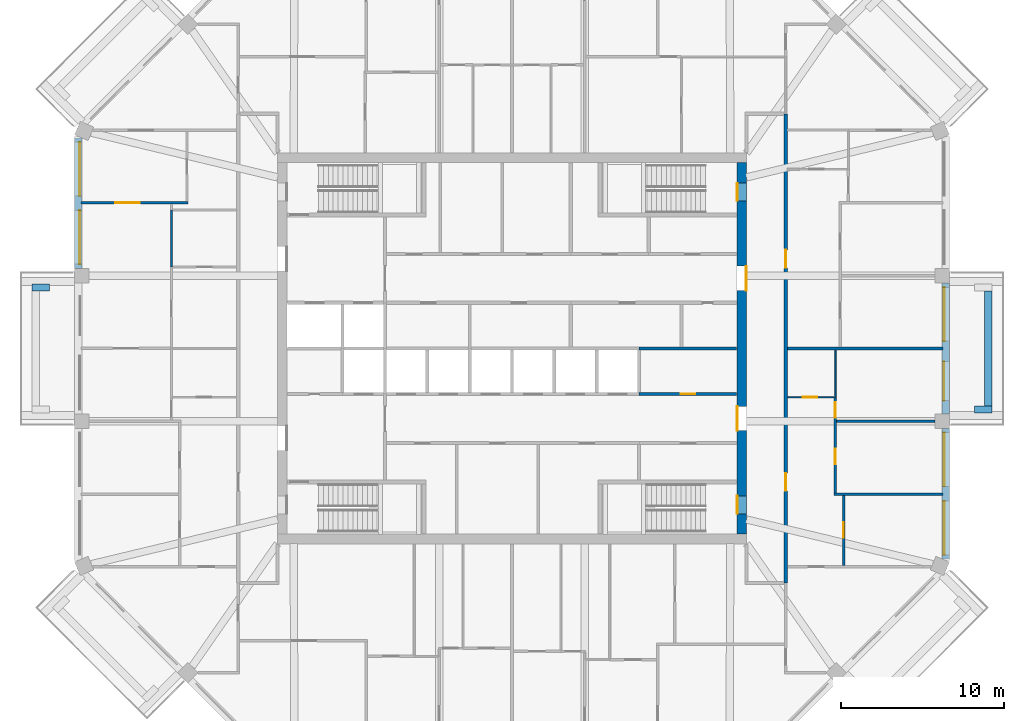
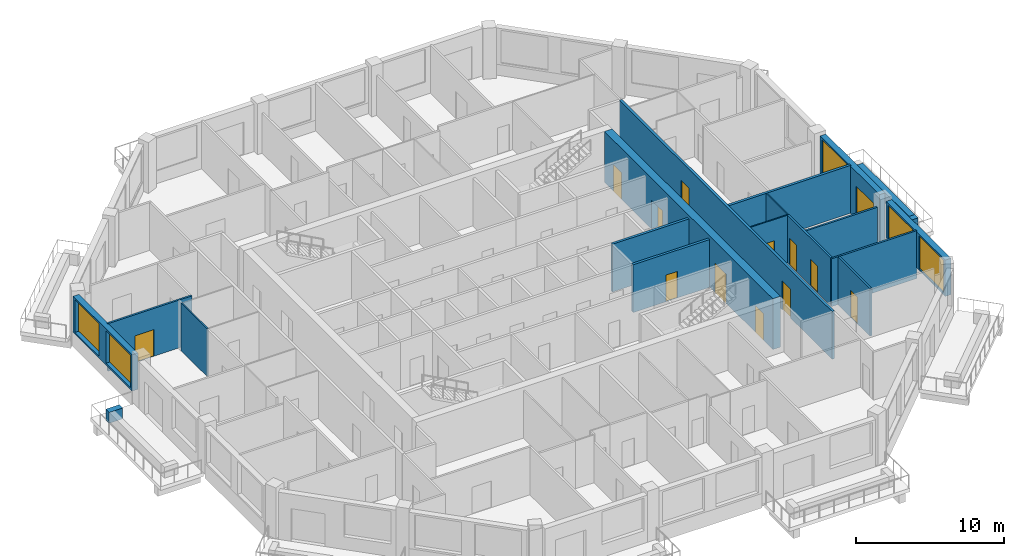
# One storey, part 6 of 12: 19 walls, 13 doors, 5 windows, 18 openings.
"""IFC4 building model written with IfcOpenShell, lengths in metres."""

from ifc_helpers import new_model, si_unit, direction, frame, frame_2d, origin, place, context, subcontext, project, spatial, rectangle, extrude, material, layer, layer_set, type_object, element, fill, save


model = new_model("IFC4")

# Units and contexts
model_context = context("Model", 3, precision=1e-05, world=origin(), true_north=direction((0.0, 1.0)))
body_context = subcontext(model_context, "Body", "Model", "MODEL_VIEW")
ifc_project = project(units=[si_unit("LENGTHUNIT", "METRE"), si_unit("AREAUNIT", "SQUARE_METRE"), si_unit("VOLUMEUNIT", "CUBIC_METRE"), si_unit("PLANEANGLEUNIT", "RADIAN"), si_unit("MASSUNIT", "GRAM", prefix="KILO")], contexts=[model_context])

# Site, building, storey
site_placement = place(None, origin())
site = spatial("IfcSite", under=ifc_project, at=site_placement, CompositionType="ELEMENT")
building_placement = place(site_placement, origin())
building = spatial("IfcBuilding", under=site, at=building_placement, Name="Msitu Wima Residences", CompositionType="ELEMENT")
storey_placement = place(building_placement, frame((0.0, 0.0, 255.89990234375)))
storey = spatial("IfcBuildingStorey", under=building, at=storey_placement, Name="L59", CompositionType="ELEMENT", Elevation=255.89990234375)

# Walls
ifc_material_1 = material(Name="Facing brick")
ifc_layer_1 = layer(ifc_material_1, 0.06494140625, Name="Facing brick")
ifc_material_2 = material(Name="Concrete C40/50", Category="concrete")
ifc_layer_2 = layer(ifc_material_2, 0.156005859375, Name="Concrete C40/50")
ifc_material_3 = material(Name="Waterproofing membrane")
ifc_layer_3 = layer(ifc_material_3, 0.00390625, Name="Waterproofing membrane")
ifc_material_4 = material(Name="Planting soil and planting")
ifc_layer_4 = layer(ifc_material_4, 0.22509765625, Name="Planting soil and planting")
ifc_layer_set_1 = layer_set([ifc_layer_1, ifc_layer_2, ifc_layer_3, ifc_layer_4], Name="Concrete C40/50")
wall_type_1 = type_object("IfcWallType", Name="Balcony planter PLANTER PL450", PredefinedType="USERDEFINED", material=ifc_layer_set_1)
wall_1_placement = place(storey_placement, frame((29.22509765625, -3.5185546875, 0.0), z_axis=(0.0, 0.0, 1.0), x_axis=(0.0, 1.0, 0.0)))
element("IfcWall", 1, at=wall_1_placement, inside=storey, type_object=wall_type_1, Name="Balcony planter E1 L59", ObjectType="PLANTER", PredefinedType="USERDEFINED", context=body_context, shape_type="SweptSolid", body=[
    extrude(rectangle(XDim=7.037109375, YDim=0.449951171875, at=frame_2d((3.5185546875, 0.0))), origin(), (0.0, 0.0, 1.0), 0.900146484375),
])
for number, where, z_axis, x_axis, name in (
    (2, (28.39990234375, -3.74365234375, 0.0), (0.0, 0.0, 1.0), (1.0, 0.0, 0.0), "Balcony planter E1 L59"),
    (3, (-28.39990234375, 3.74365234375, 0.0), (0.0, 0.0, 1.0), (-1.0, 0.0, 0.0), "Balcony planter W1 L59"),
):
    element("IfcWall", number, at=place(storey_placement, frame(where, z_axis=z_axis, x_axis=x_axis)), inside=storey, type_object=wall_type_1, Name=name, ObjectType="PLANTER", PredefinedType="USERDEFINED", context=body_context, shape_type="SweptSolid", body=[
        extrude(rectangle(XDim=1.050048828125, YDim=0.449951171875, at=frame_2d((0.52490234375, 0.0))), origin(), (0.0, 0.0, 1.0), 0.900146484375),
    ])

# Wall, openings, windows
ifc_material_5 = material(Name="Brick (red buff mix)", Category="masonry")
ifc_layer_5 = layer(ifc_material_5, 0.449951171875)
ifc_layer_set_2 = layer_set([ifc_layer_5], Name="Brick (red buff mix)")
wall_type_2 = type_object("IfcWallType", Name="Brick infill wall BW450", PredefinedType="SOLIDWALL", material=ifc_layer_set_2)
wall_2_placement = place(storey_placement, frame((26.625, -12.918701171875, 0.900146484375), z_axis=(0.0, 0.0, 1.0), x_axis=(0.0, 1.0, 0.0)))
wall_2 = element("IfcWall", 4, at=wall_2_placement, inside=storey, type_object=wall_type_2, Name="Brick infill wall L59 E0", PredefinedType="SOLIDWALL", context=body_context, shape_type="SweptSolid", body=[
    extrude(rectangle(XDim=8.0, YDim=0.449951171875, at=frame_2d((4.0, 0.0))), origin(), (0.0, 0.0, 1.0), 3.0),
])
opening_1_placement = place(wall_2_placement, frame((0.25, 0.0, 0.14990234375)))
opening_1 = element("IfcOpeningElement", 5, at=opening_1_placement, cuts=wall_2, Name="Opening W57-59.001", PredefinedType="OPENING", context=body_context, shape_type="SweptSolid", body=[
    extrude(rectangle(XDim=3.300048828125, YDim=2.699951171875, at=frame_2d((1.64990234375, 1.35009765625))), frame((0.0, 0.23486328125, 0.0), z_axis=(0.0, -1.0, 0.0), x_axis=(1.0, 0.0, 0.0)), (0.0, 0.0, 1.0), 0.469970703125),
])
opening_2_placement = place(wall_2_placement, frame((4.4501953125, 0.0, 0.14990234375)))
opening_2 = element("IfcOpeningElement", 6, at=opening_2_placement, cuts=wall_2, Name="Opening W57-59.002", PredefinedType="OPENING", context=body_context, shape_type="SweptSolid", body=[
    extrude(rectangle(XDim=3.300048828125, YDim=2.699951171875, at=frame_2d((1.64990234375, 1.35009765625))), frame((0.0, 0.23486328125, 0.0), z_axis=(0.0, -1.0, 0.0), x_axis=(1.0, 0.0, 0.0)), (0.0, 0.0, 1.0), 0.469970703125),
])
ifc_material_6 = material(Name="Anodised aluminium, bronze finish, clear low-emissivity double glazing", Category="aluminium")
window_type = type_object("IfcWindowType", Name="Window W3300x2700", PartitioningType="DOUBLE_PANEL_VERTICAL", PredefinedType="WINDOW", material=ifc_material_6)
window_1_placement = place(opening_1_placement, origin())
window_1 = element("IfcWindow", 7, at=window_1_placement, inside=storey, type_object=window_type, Name="Window L59 E0.1", OverallHeight=2.699951171875, OverallWidth=3.300048828125, PartitioningType="SINGLE_PANEL", PredefinedType="WINDOW", context=body_context, shape_type="SweptSolid", body=[
    extrude(rectangle(XDim=3.300048828125, YDim=2.699951171875, at=frame_2d((1.64990234375, 1.35009765625))), frame((0.0, 0.135009765625, 0.0), z_axis=(0.0, -1.0, 0.0), x_axis=(1.0, 0.0, 0.0)), (0.0, 0.0, 1.0), 0.06005859375),
])
fill(opening_1, window_1)
window_2_placement = place(opening_2_placement, origin())
window_2 = element("IfcWindow", 8, at=window_2_placement, inside=storey, type_object=window_type, Name="Window L59 E0.2", OverallHeight=2.699951171875, OverallWidth=3.300048828125, PartitioningType="SINGLE_PANEL", PredefinedType="WINDOW", context=body_context, shape_type="SweptSolid", body=[
    extrude(rectangle(XDim=3.300048828125, YDim=2.699951171875, at=frame_2d((1.64990234375, 1.35009765625))), frame((0.0, 0.135009765625, 0.0), z_axis=(0.0, -1.0, 0.0), x_axis=(1.0, 0.0, 0.0)), (0.0, 0.0, 1.0), 0.06005859375),
])
fill(opening_2, window_2)

# Wall, openings, door, window
wall_3_placement = place(storey_placement, frame((26.625, -4.0185546875, 0.0), z_axis=(0.0, 0.0, 1.0), x_axis=(0.0, 1.0, 0.0)))
wall_3 = element("IfcWall", 9, at=wall_3_placement, inside=storey, type_object=wall_type_2, Name="Brick infill wall L59 E1", PredefinedType="SOLIDWALL", context=body_context, shape_type="SweptSolid", body=[
    extrude(rectangle(XDim=8.037109375, YDim=0.449951171875, at=frame_2d((4.0185546875, 0.0))), origin(), (0.0, 0.0, 1.0), 3.900146484375),
])
opening_3_placement = place(wall_3_placement, frame((0.809326171875, 0.0, 0.0)))
opening_3 = element("IfcOpeningElement", 10, at=opening_3_placement, cuts=wall_3, Name="Opening D57-59.001", PredefinedType="OPENING", context=body_context, shape_type="SweptSolid", body=[
    extrude(rectangle(XDim=2.39990234375, YDim=2.699951171875, at=frame_2d((1.199951171875, 1.35009765625))), frame((0.0, 0.23486328125, 0.0), z_axis=(0.0, -1.0, 0.0), x_axis=(1.0, 0.0, 0.0)), (0.0, 0.0, 1.0), 0.469970703125),
])
opening_4_placement = place(wall_3_placement, frame((4.46875, 0.0, 1.050048828125)))
opening_4 = element("IfcOpeningElement", 11, at=opening_4_placement, cuts=wall_3, Name="Opening W57-59.003", PredefinedType="OPENING", context=body_context, shape_type="SweptSolid", body=[
    extrude(rectangle(XDim=3.300048828125, YDim=2.699951171875, at=frame_2d((1.64990234375, 1.35009765625))), frame((0.0, 0.23486328125, 0.0), z_axis=(0.0, -1.0, 0.0), x_axis=(1.0, 0.0, 0.0)), (0.0, 0.0, 1.0), 0.469970703125),
])
door_type_1 = type_object("IfcDoorType", Name="Balcony door D2400x2700", OperationType="SLIDING_TO_LEFT", PredefinedType="DOOR", material=ifc_material_6)
door_1_placement = place(opening_3_placement, origin())
door_1 = element("IfcDoor", 12, at=door_1_placement, inside=storey, type_object=door_type_1, Name="Balcony door L59 E1", OperationType="SINGLE_SWING_LEFT", OverallHeight=2.699951171875, OverallWidth=2.39990234375, PredefinedType="DOOR", context=body_context, shape_type="SweptSolid", body=[
    extrude(rectangle(XDim=2.39990234375, YDim=2.699951171875, at=frame_2d((1.199951171875, 1.35009765625))), frame((0.0, 0.1298828125, 0.0), z_axis=(0.0, -1.0, 0.0), x_axis=(1.0, 0.0, 0.0)), (0.0, 0.0, 1.0), 0.050048828125),
])
fill(opening_3, door_1)
window_3_placement = place(opening_4_placement, origin())
window_3 = element("IfcWindow", 13, at=window_3_placement, inside=storey, type_object=window_type, Name="Window L59 E1.2", OverallHeight=2.699951171875, OverallWidth=3.300048828125, PartitioningType="SINGLE_PANEL", PredefinedType="WINDOW", context=body_context, shape_type="SweptSolid", body=[
    extrude(rectangle(XDim=3.300048828125, YDim=2.699951171875, at=frame_2d((1.64990234375, 1.35009765625))), frame((0.0, 0.135009765625, 0.0), z_axis=(0.0, -1.0, 0.0), x_axis=(1.0, 0.0, 0.0)), (0.0, 0.0, 1.0), 0.06005859375),
])
fill(opening_4, window_3)

# Wall, openings, windows
wall_4_placement = place(storey_placement, frame((-26.625, 12.918701171875, 0.900146484375), z_axis=(0.0, 0.0, 1.0), x_axis=(0.0, -1.0, 0.0)))
wall_4 = element("IfcWall", 14, at=wall_4_placement, inside=storey, type_object=wall_type_2, Name="Brick infill wall L59 W0", PredefinedType="SOLIDWALL", context=body_context, shape_type="SweptSolid", body=[
    extrude(rectangle(XDim=8.0, YDim=0.449951171875, at=frame_2d((4.0, 0.0))), origin(), (0.0, 0.0, 1.0), 3.0),
])
opening_5_placement = place(wall_4_placement, frame((0.25, 0.0, 0.14990234375)))
opening_5 = element("IfcOpeningElement", 15, at=opening_5_placement, cuts=wall_4, Name="Opening W57-59.026", PredefinedType="OPENING", context=body_context, shape_type="SweptSolid", body=[
    extrude(rectangle(XDim=3.300048828125, YDim=2.699951171875, at=frame_2d((1.64990234375, 1.35009765625))), frame((0.0, 0.23486328125, 0.0), z_axis=(0.0, -1.0, 0.0), x_axis=(1.0, 0.0, 0.0)), (0.0, 0.0, 1.0), 0.469970703125),
])
opening_6_placement = place(wall_4_placement, frame((4.4501953125, 0.0, 0.14990234375)))
opening_6 = element("IfcOpeningElement", 16, at=opening_6_placement, cuts=wall_4, Name="Opening W57-59.027", PredefinedType="OPENING", context=body_context, shape_type="SweptSolid", body=[
    extrude(rectangle(XDim=3.300048828125, YDim=2.699951171875, at=frame_2d((1.64990234375, 1.35009765625))), frame((0.0, 0.23486328125, 0.0), z_axis=(0.0, -1.0, 0.0), x_axis=(1.0, 0.0, 0.0)), (0.0, 0.0, 1.0), 0.469970703125),
])
window_4_placement = place(opening_5_placement, origin())
window_4 = element("IfcWindow", 17, at=window_4_placement, inside=storey, type_object=window_type, Name="Window L59 W0.1", OverallHeight=2.699951171875, OverallWidth=3.300048828125, PartitioningType="SINGLE_PANEL", PredefinedType="WINDOW", context=body_context, shape_type="SweptSolid", body=[
    extrude(rectangle(XDim=3.300048828125, YDim=2.699951171875, at=frame_2d((1.64990234375, 1.35009765625))), frame((0.0, 0.135009765625, 0.0), z_axis=(0.0, -1.0, 0.0), x_axis=(1.0, 0.0, 0.0)), (0.0, 0.0, 1.0), 0.06005859375),
])
fill(opening_5, window_4)
window_5_placement = place(opening_6_placement, origin())
window_5 = element("IfcWindow", 18, at=window_5_placement, inside=storey, type_object=window_type, Name="Window L59 W0.2", OverallHeight=2.699951171875, OverallWidth=3.300048828125, PartitioningType="SINGLE_PANEL", PredefinedType="WINDOW", context=body_context, shape_type="SweptSolid", body=[
    extrude(rectangle(XDim=3.300048828125, YDim=2.699951171875, at=frame_2d((1.64990234375, 1.35009765625))), frame((0.0, 0.135009765625, 0.0), z_axis=(0.0, -1.0, 0.0), x_axis=(1.0, 0.0, 0.0)), (0.0, 0.0, 1.0), 0.06005859375),
])
fill(opening_6, window_5)

# Wall, openings, doors
ifc_material_7 = material(Name="Concrete C50/60", Category="concrete")
ifc_layer_6 = layer(ifc_material_7, 0.60009765625)
ifc_layer_set_3 = layer_set([ifc_layer_6], Name="Concrete C50/60")
wall_type_3 = type_object("IfcWallType", Name="Core wall CW600 C50/60", PredefinedType="SHEAR", material=ifc_layer_set_3)
wall_5_placement = place(storey_placement, frame((14.10009765625, -11.39990234375, 0.0), z_axis=(0.0, 0.0, 1.0), x_axis=(0.0, 1.0, 0.0)))
wall_5 = element("IfcWall", 19, at=wall_5_placement, inside=storey, type_object=wall_type_3, Name="Core wall", PredefinedType="SHEAR", context=body_context, shape_type="SweptSolid", body=[
    extrude(rectangle(XDim=22.7998046875, YDim=0.60009765625, at=frame_2d((11.39990234375, 0.0))), origin(), (0.0, 0.0, 1.0), 4.2001953125),
])
opening_7_placement = place(wall_5_placement, frame((20.449951171875, 0.0, 0.0)))
opening_7 = element("IfcOpeningElement", 20, at=opening_7_placement, cuts=wall_5, Name="Opening D57-59.088", PredefinedType="OPENING", context=body_context, shape_type="SweptSolid", body=[
    extrude(rectangle(XDim=1.10009765625, YDim=2.199951171875, at=frame_2d((0.550048828125, 1.10009765625))), frame((0.0, 0.31005859375, 0.0), z_axis=(0.0, -1.0, 0.0), x_axis=(1.0, 0.0, 0.0)), (0.0, 0.0, 1.0), 0.6201171875),
])
opening_8_placement = place(wall_5_placement, frame((1.25, 0.0, 0.0)))
opening_8 = element("IfcOpeningElement", 21, at=opening_8_placement, cuts=wall_5, Name="Opening D57-59.089", PredefinedType="OPENING", context=body_context, shape_type="SweptSolid", body=[
    extrude(rectangle(XDim=1.10009765625, YDim=2.199951171875, at=frame_2d((0.550048828125, 1.10009765625))), frame((0.0, 0.31005859375, 0.0), z_axis=(0.0, -1.0, 0.0), x_axis=(1.0, 0.0, 0.0)), (0.0, 0.0, 1.0), 0.6201171875),
])
opening_9_placement = place(wall_5_placement, frame((14.949951171875, 0.0, 0.0)))
opening_9 = element("IfcOpeningElement", 22, at=opening_9_placement, cuts=wall_5, Name="Opening D57-59.077", PredefinedType="OPENING", context=body_context, shape_type="SweptSolid", body=[
    extrude(rectangle(XDim=1.5, YDim=2.39990234375, at=frame_2d((0.75, 1.199951171875))), frame((0.0, 0.31005859375, 0.0), z_axis=(0.0, -1.0, 0.0), x_axis=(1.0, 0.0, 0.0)), (0.0, 0.0, 1.0), 0.6201171875),
])
opening_10_placement = place(wall_5_placement, frame((6.35009765625, 0.0, 0.0)))
opening_10 = element("IfcOpeningElement", 23, at=opening_10_placement, cuts=wall_5, Name="Opening D57-59.078", PredefinedType="OPENING", context=body_context, shape_type="SweptSolid", body=[
    extrude(rectangle(XDim=1.5, YDim=2.39990234375, at=frame_2d((0.75, 1.199951171875))), frame((0.0, 0.31005859375, 0.0), z_axis=(0.0, -1.0, 0.0), x_axis=(1.0, 0.0, 0.0)), (0.0, 0.0, 1.0), 0.6201171875),
])
ifc_material_8 = material(Name="Steel framed glazed door, fire resisting", Category="steel")
door_type_2 = type_object("IfcDoorType", Name="Lobby door D07 1500x2400", OperationType="DOUBLE_DOOR_SINGLE_SWING", PredefinedType="DOOR", material=ifc_material_8)
door_2_placement = place(opening_9_placement, origin())
door_2 = element("IfcDoor", 24, at=door_2_placement, inside=storey, type_object=door_type_2, Name="Lobby door", OperationType="DOUBLE_DOOR_SINGLE_SWING", OverallHeight=2.39990234375, OverallWidth=1.5, PredefinedType="DOOR", context=body_context, shape_type="SweptSolid", body=[
    extrude(rectangle(XDim=1.5, YDim=2.39990234375, at=frame_2d((0.75, 1.199951171875))), frame((0.0, -0.2451171875, 0.0), z_axis=(0.0, -1.0, 0.0), x_axis=(1.0, 0.0, 0.0)), (0.0, 0.0, 1.0), 0.050048828125),
])
fill(opening_9, door_2)
door_3_placement = place(opening_10_placement, origin())
door_3 = element("IfcDoor", 25, at=door_3_placement, inside=storey, type_object=door_type_2, Name="Lobby door", OperationType="DOUBLE_DOOR_SINGLE_SWING", OverallHeight=2.39990234375, OverallWidth=1.5, PredefinedType="DOOR", context=body_context, shape_type="SweptSolid", body=[
    extrude(rectangle(XDim=1.5, YDim=2.39990234375, at=frame_2d((0.75, 1.199951171875))), frame((0.0, 0.294921875, 0.0), z_axis=(0.0, -1.0, 0.0), x_axis=(1.0, 0.0, 0.0)), (0.0, 0.0, 1.0), 0.050048828125),
])
fill(opening_10, door_3)
ifc_material_9 = material(Name="Steel door, fire resisting, panic bar", Category="steel")
door_type_3 = type_object("IfcDoorType", Name="Stair door D06 1100x2200", OperationType="SINGLE_SWING_LEFT", PredefinedType="DOOR", material=ifc_material_9)
door_4_placement = place(opening_7_placement, origin())
door_4 = element("IfcDoor", 26, at=door_4_placement, inside=storey, type_object=door_type_3, Name="Stair door", OperationType="SINGLE_SWING_LEFT", OverallHeight=2.199951171875, OverallWidth=1.10009765625, PredefinedType="DOOR", context=body_context, shape_type="SweptSolid", body=[
    extrude(rectangle(XDim=1.10009765625, YDim=2.199951171875, at=frame_2d((0.550048828125, 1.10009765625))), frame((0.0, 0.294921875, 0.0), z_axis=(0.0, -1.0, 0.0), x_axis=(1.0, 0.0, 0.0)), (0.0, 0.0, 1.0), 0.050048828125),
])
fill(opening_7, door_4)
door_5_placement = place(opening_8_placement, origin())
door_5 = element("IfcDoor", 27, at=door_5_placement, inside=storey, type_object=door_type_3, Name="Stair door", OperationType="SINGLE_SWING_RIGHT", OverallHeight=2.199951171875, OverallWidth=1.10009765625, PredefinedType="DOOR", context=body_context, shape_type="SweptSolid", body=[
    extrude(rectangle(XDim=1.10009765625, YDim=2.199951171875, at=frame_2d((0.550048828125, 1.10009765625))), frame((0.0, 0.294921875, 0.0), z_axis=(0.0, -1.0, 0.0), x_axis=(1.0, 0.0, 0.0)), (0.0, 0.0, 1.0), 0.050048828125),
])
fill(opening_8, door_5)

ifc_material_10 = material(Name="Plaster")
ifc_layer_7 = layer(ifc_material_10, 0.011962890625, Name="Plaster")
ifc_material_11 = material(Name="Concrete blockwork", Category="masonry")
ifc_layer_8 = layer(ifc_material_11, 0.176025390625, Name="Concrete blockwork")
ifc_layer_9 = layer(ifc_material_10, 0.011962890625, Name="Plaster")
ifc_layer_set_4 = layer_set([ifc_layer_7, ifc_layer_8, ifc_layer_9], Name="Concrete blockwork")
wall_type_4 = type_object("IfcWallType", Name="Corridor wall FW200", PredefinedType="PARTITIONING", material=ifc_layer_set_4)
wall_6_placement = place(storey_placement, frame((16.800048828125, -14.39990234375, 0.0), z_axis=(0.0, 0.0, 1.0), x_axis=(0.0, 1.0, 0.0)))
wall_6 = element("IfcWall", 28, at=wall_6_placement, inside=storey, type_object=wall_type_4, Name="Corridor wall", PredefinedType="PARTITIONING", context=body_context, shape_type="SweptSolid", body=[
    extrude(rectangle(XDim=28.7998046875, YDim=0.199951171875, at=frame_2d((14.39990234375, 0.0))), origin(), (0.0, 0.0, 1.0), 3.9501953125),
])
opening_11_placement = place(wall_6_placement, frame((19.35009765625, 0.0, 0.0)))
opening_11 = element("IfcOpeningElement", 29, at=opening_11_placement, cuts=wall_6, Name="Opening D57-59.011", PredefinedType="OPENING", context=body_context, shape_type="SweptSolid", body=[
    extrude(rectangle(XDim=1.10009765625, YDim=2.39990234375, at=frame_2d((0.550048828125, 1.199951171875))), frame((0.0, 0.10986328125, 0.0), z_axis=(0.0, -1.0, 0.0), x_axis=(1.0, 0.0, 0.0)), (0.0, 0.0, 1.0), 0.219970703125),
])
opening_12_placement = place(wall_6_placement, frame((5.64990234375, 0.0, 0.0)))
opening_12 = element("IfcOpeningElement", 30, at=opening_12_placement, cuts=wall_6, Name="Opening D57-59.050", PredefinedType="OPENING", context=body_context, shape_type="SweptSolid", body=[
    extrude(rectangle(XDim=1.10009765625, YDim=2.39990234375, at=frame_2d((0.550048828125, 1.199951171875))), frame((0.0, 0.10986328125, 0.0), z_axis=(0.0, -1.0, 0.0), x_axis=(1.0, 0.0, 0.0)), (0.0, 0.0, 1.0), 0.219970703125),
])
ifc_material_12 = material(Name="Timber flush door, fire resisting, self-closing", Category="wood")
door_type_4 = type_object("IfcDoorType", Name="Flat entrance door D01 1100x2400", OperationType="SINGLE_SWING_LEFT", PredefinedType="DOOR", material=ifc_material_12)
door_6_placement = place(opening_11_placement, origin())
door_6 = element("IfcDoor", 31, at=door_6_placement, inside=storey, type_object=door_type_4, Name="Flat entrance door", OperationType="SINGLE_SWING_LEFT", OverallHeight=2.39990234375, OverallWidth=1.10009765625, PredefinedType="DOOR", context=body_context, shape_type="SweptSolid", body=[
    extrude(rectangle(XDim=1.10009765625, YDim=2.39990234375, at=frame_2d((0.550048828125, 1.199951171875))), frame((0.0, 0.02490234375, 0.0), z_axis=(0.0, -1.0, 0.0), x_axis=(1.0, 0.0, 0.0)), (0.0, 0.0, 1.0), 0.050048828125),
])
fill(opening_11, door_6)
door_7_placement = place(opening_12_placement, origin())
door_7 = element("IfcDoor", 32, at=door_7_placement, inside=storey, type_object=door_type_4, Name="Flat entrance door", OperationType="SINGLE_SWING_RIGHT", OverallHeight=2.39990234375, OverallWidth=1.10009765625, PredefinedType="DOOR", context=body_context, shape_type="SweptSolid", body=[
    extrude(rectangle(XDim=1.10009765625, YDim=2.39990234375, at=frame_2d((0.550048828125, 1.199951171875))), frame((0.0, 0.02490234375, 0.0), z_axis=(0.0, -1.0, 0.0), x_axis=(1.0, 0.0, 0.0)), (0.0, 0.0, 1.0), 0.050048828125),
])
fill(opening_12, door_7)

# Wall, opening, door
ifc_layer_10 = layer(ifc_material_10, 0.011962890625, Name="Plaster")
ifc_layer_11 = layer(ifc_material_11, 0.1259765625, Name="Concrete blockwork")
ifc_layer_12 = layer(ifc_material_10, 0.011962890625, Name="Plaster")
ifc_layer_set_5 = layer_set([ifc_layer_10, ifc_layer_11, ifc_layer_12], Name="Concrete blockwork")
wall_type_5 = type_object("IfcWallType", Name="Partition PW150", PredefinedType="PARTITIONING", material=ifc_layer_set_5)
wall_7_placement = place(storey_placement, frame((-26.455078125, 8.937255859375, 0.0), z_axis=(0.0, 0.0, 1.0), x_axis=(1.0, 0.0, 0.0)))
wall_7 = element("IfcWall", 33, at=wall_7_placement, inside=storey, type_object=wall_type_5, Name="Partition", PredefinedType="PARTITIONING", context=body_context, shape_type="SweptSolid", body=[
    extrude(rectangle(XDim=6.580078125, YDim=0.14990234375, at=frame_2d((3.2900390625, 0.0))), origin(), (0.0, 0.0, 1.0), 3.9501953125),
])
opening_13_placement = place(wall_7_placement, frame((2.10009765625, 0.0, 0.0)))
opening_13 = element("IfcOpeningElement", 34, at=opening_13_placement, cuts=wall_7, Name="Opening D57-59.047", PredefinedType="OPENING", context=body_context, shape_type="SweptSolid", body=[
    extrude(rectangle(XDim=1.5, YDim=2.199951171875, at=frame_2d((0.75, 1.10009765625))), frame((0.0, 0.0849609375, 0.0), z_axis=(0.0, -1.0, 0.0), x_axis=(1.0, 0.0, 0.0)), (0.0, 0.0, 1.0), 0.169921875),
])
ifc_material_13 = material(Name="Timber double door", Category="wood")
door_type_5 = type_object("IfcDoorType", Name="Double door D04 1500x2200", OperationType="DOUBLE_DOOR_SINGLE_SWING", PredefinedType="DOOR", material=ifc_material_13)
door_8_placement = place(opening_13_placement, origin())
door_8 = element("IfcDoor", 35, at=door_8_placement, inside=storey, type_object=door_type_5, Name="Double door", OperationType="DOUBLE_DOOR_SINGLE_SWING", OverallHeight=2.199951171875, OverallWidth=1.5, PredefinedType="DOOR", context=body_context, shape_type="SweptSolid", body=[
    extrude(rectangle(XDim=1.5, YDim=2.199951171875, at=frame_2d((0.75, 1.10009765625))), frame((0.0, 0.02490234375, 0.0), z_axis=(0.0, -1.0, 0.0), x_axis=(1.0, 0.0, 0.0)), (0.0, 0.0, 1.0), 0.050048828125),
])
fill(opening_13, door_8)

# Wall, openings, doors
wall_8_placement = place(storey_placement, frame((19.85009765625, -8.8623046875, 0.0), z_axis=(0.0, 0.0, 1.0), x_axis=(0.0, 1.0, 0.0)))
wall_8 = element("IfcWall", 36, at=wall_8_placement, inside=storey, type_object=wall_type_5, Name="Partition", PredefinedType="PARTITIONING", context=body_context, shape_type="SweptSolid", body=[
    extrude(rectangle(XDim=5.8623046875, YDim=0.14990234375, at=frame_2d((2.93115234375, 0.0))), origin(), (0.0, 0.0, 1.0), 3.9501953125),
])
opening_14_placement = place(wall_8_placement, frame((4.60009765625, 0.0, 0.0)))
opening_14 = element("IfcOpeningElement", 37, at=opening_14_placement, cuts=wall_8, Name="Opening D57-59.055", PredefinedType="OPENING", context=body_context, shape_type="SweptSolid", body=[
    extrude(rectangle(XDim=0.949951171875, YDim=2.199951171875, at=frame_2d((0.47509765625, 1.10009765625))), frame((0.0, 0.0849609375, 0.0), z_axis=(0.0, -1.0, 0.0), x_axis=(1.0, 0.0, 0.0)), (0.0, 0.0, 1.0), 0.169921875),
])
opening_15_placement = place(wall_8_placement, frame((1.75, 0.0, 0.0)))
opening_15 = element("IfcOpeningElement", 38, at=opening_15_placement, cuts=wall_8, Name="Opening D57-59.056", PredefinedType="OPENING", context=body_context, shape_type="SweptSolid", body=[
    extrude(rectangle(XDim=0.949951171875, YDim=2.199951171875, at=frame_2d((0.47509765625, 1.10009765625))), frame((0.0, 0.0849609375, 0.0), z_axis=(0.0, -1.0, 0.0), x_axis=(1.0, 0.0, 0.0)), (0.0, 0.0, 1.0), 0.169921875),
])
ifc_material_14 = material(Name="Timber flush door", Category="wood")
door_type_6 = type_object("IfcDoorType", Name="Room door D12 950x2200", OperationType="SINGLE_SWING_LEFT", PredefinedType="DOOR", material=ifc_material_14)
door_9_placement = place(opening_14_placement, origin())
door_9 = element("IfcDoor", 39, at=door_9_placement, inside=storey, type_object=door_type_6, Name="Room door", OperationType="SINGLE_SWING_RIGHT", OverallHeight=2.199951171875, OverallWidth=0.949951171875, PredefinedType="DOOR", context=body_context, shape_type="SweptSolid", body=[
    extrude(rectangle(XDim=0.949951171875, YDim=2.199951171875, at=frame_2d((0.47509765625, 1.10009765625))), frame((0.0, 0.02490234375, 0.0), z_axis=(0.0, -1.0, 0.0), x_axis=(1.0, 0.0, 0.0)), (0.0, 0.0, 1.0), 0.050048828125),
])
fill(opening_14, door_9)
door_10_placement = place(opening_15_placement, origin())
door_10 = element("IfcDoor", 40, at=door_10_placement, inside=storey, type_object=door_type_6, Name="Room door", OperationType="SINGLE_SWING_LEFT", OverallHeight=2.199951171875, OverallWidth=0.949951171875, PredefinedType="DOOR", context=body_context, shape_type="SweptSolid", body=[
    extrude(rectangle(XDim=0.949951171875, YDim=2.199951171875, at=frame_2d((0.47509765625, 1.10009765625))), frame((0.0, 0.02490234375, 0.0), z_axis=(0.0, -1.0, 0.0), x_axis=(1.0, 0.0, 0.0)), (0.0, 0.0, 1.0), 0.050048828125),
])
fill(opening_15, door_10)

# Walls
wall_9_placement = place(storey_placement, frame((19.77490234375, -8.937255859375, 0.0), z_axis=(0.0, 0.0, 1.0), x_axis=(1.0, 0.0, 0.0)))
element("IfcWall", 41, at=wall_9_placement, inside=storey, type_object=wall_type_5, Name="Partition", PredefinedType="PARTITIONING", context=body_context, shape_type="SweptSolid", body=[
    extrude(rectangle(XDim=6.68017578125, YDim=0.14990234375, at=frame_2d((3.340087890625, 0.0))), origin(), (0.0, 0.0, 1.0), 3.9501953125),
])
wall_10_placement = place(storey_placement, frame((19.925048828125, -4.46875, 0.0), z_axis=(0.0, 0.0, 1.0), x_axis=(1.0, 0.0, 0.0)))
element("IfcWall", 42, at=wall_10_placement, inside=storey, type_object=wall_type_5, Name="Partition", PredefinedType="PARTITIONING", context=body_context, shape_type="SweptSolid", body=[
    extrude(rectangle(XDim=6.02490234375, YDim=0.14990234375, at=frame_2d((3.012451171875, 0.0))), origin(), (0.0, 0.0, 1.0), 3.35009765625),
])

# Wall, opening, door
wall_11_placement = place(storey_placement, frame((20.35009765625, -13.330810546875, 0.0), z_axis=(0.0, 0.0, 1.0), x_axis=(0.0, 1.0, 0.0)))
wall_11 = element("IfcWall", 43, at=wall_11_placement, inside=storey, type_object=wall_type_5, Name="Partition", PredefinedType="PARTITIONING", context=body_context, shape_type="SweptSolid", body=[
    extrude(rectangle(XDim=4.318603515625, YDim=0.14990234375, at=frame_2d((2.1591796875, 0.0))), origin(), (0.0, 0.0, 1.0), 3.9501953125),
])
opening_16_placement = place(wall_11_placement, frame((1.699951171875, 0.0, 0.0)))
opening_16 = element("IfcOpeningElement", 44, at=opening_16_placement, cuts=wall_11, Name="Opening D57-59.057", PredefinedType="OPENING", context=body_context, shape_type="SweptSolid", body=[
    extrude(rectangle(XDim=0.949951171875, YDim=2.199951171875, at=frame_2d((0.47509765625, 1.10009765625))), frame((0.0, 0.0849609375, 0.0), z_axis=(0.0, -1.0, 0.0), x_axis=(1.0, 0.0, 0.0)), (0.0, 0.0, 1.0), 0.169921875),
])
door_11_placement = place(opening_16_placement, origin())
door_11 = element("IfcDoor", 45, at=door_11_placement, inside=storey, type_object=door_type_6, Name="Room door", OperationType="SINGLE_SWING_LEFT", OverallHeight=2.199951171875, OverallWidth=0.949951171875, PredefinedType="DOOR", context=body_context, shape_type="SweptSolid", body=[
    extrude(rectangle(XDim=0.949951171875, YDim=2.199951171875, at=frame_2d((0.47509765625, 1.10009765625))), frame((0.0, 0.02490234375, 0.0), z_axis=(0.0, -1.0, 0.0), x_axis=(1.0, 0.0, 0.0)), (0.0, 0.0, 1.0), 0.050048828125),
])
fill(opening_16, door_11)

# Wall
ifc_layer_13 = layer(ifc_material_10, 0.011962890625, Name="Plaster")
ifc_material_15 = material(Name="Dense concrete blockwork", Category="masonry")
ifc_layer_14 = layer(ifc_material_15, 0.176025390625, Name="Dense concrete blockwork")
ifc_layer_15 = layer(ifc_material_10, 0.011962890625, Name="Plaster")
ifc_layer_set_6 = layer_set([ifc_layer_13, ifc_layer_14, ifc_layer_15], Name="Dense concrete blockwork")
wall_type_6 = type_object("IfcWallType", Name="Party wall PW200", PredefinedType="PARTITIONING", material=ifc_layer_set_6)
wall_12_placement = place(storey_placement, frame((16.89990234375, 0.0, 0.0), z_axis=(0.0, 0.0, 1.0), x_axis=(1.0, 0.0, 0.0)))
element("IfcWall", 46, at=wall_12_placement, inside=storey, type_object=wall_type_6, Name="Party wall", PredefinedType="PARTITIONING", context=body_context, shape_type="SweptSolid", body=[
    extrude(rectangle(XDim=9.55517578125, YDim=0.199951171875, at=frame_2d((4.777587890625, 0.0))), origin(), (0.0, 0.0, 1.0), 3.9501953125),
])

# Wall, opening, door
ifc_layer_16 = layer(ifc_material_10, 0.011962890625, Name="Plaster")
ifc_material_16 = material(Name="Reinforced concrete blockwork", Category="masonry")
ifc_layer_17 = layer(ifc_material_16, 0.176025390625, Name="Reinforced concrete blockwork")
ifc_layer_18 = layer(ifc_material_10, 0.011962890625, Name="Plaster")
ifc_layer_set_7 = layer_set([ifc_layer_16, ifc_layer_17, ifc_layer_18], Name="Reinforced concrete blockwork")
wall_type_7 = type_object("IfcWallType", Name="Plant and riser wall PL200", PredefinedType="PARTITIONING", material=ifc_layer_set_7)
wall_13_placement = place(storey_placement, frame((7.800048828125, -2.800048828125, 0.0), z_axis=(0.0, 0.0, 1.0), x_axis=(1.0, 0.0, 0.0)))
wall_13 = element("IfcWall", 47, at=wall_13_placement, inside=storey, type_object=wall_type_7, Name="Plant and riser wall", PredefinedType="PARTITIONING", context=body_context, shape_type="SweptSolid", body=[
    extrude(rectangle(XDim=5.969970703125, YDim=0.199951171875, at=frame_2d((2.98486328125, 0.0))), origin(), (0.0, 0.0, 1.0), 3.9501953125),
])
opening_17_placement = place(wall_13_placement, frame((2.550048828125, 0.0, 0.0)))
opening_17 = element("IfcOpeningElement", 48, at=opening_17_placement, cuts=wall_13, Name="Opening D57-59.063", PredefinedType="OPENING", context=body_context, shape_type="SweptSolid", body=[
    extrude(rectangle(XDim=0.89990234375, YDim=2.199951171875, at=frame_2d((0.449951171875, 1.10009765625))), frame((0.0, 0.10986328125, 0.0), z_axis=(0.0, -1.0, 0.0), x_axis=(1.0, 0.0, 0.0)), (0.0, 0.0, 1.0), 0.219970703125),
])
door_type_7 = type_object("IfcDoorType", Name="Service door D05 900x2200", OperationType="SINGLE_SWING_LEFT", PredefinedType="DOOR", material=ifc_material_14)
door_12_placement = place(opening_17_placement, origin())
door_12 = element("IfcDoor", 49, at=door_12_placement, inside=storey, type_object=door_type_7, Name="Service door", OperationType="SINGLE_SWING_LEFT", OverallHeight=2.199951171875, OverallWidth=0.89990234375, PredefinedType="DOOR", context=body_context, shape_type="SweptSolid", body=[
    extrude(rectangle(XDim=0.89990234375, YDim=2.199951171875, at=frame_2d((0.449951171875, 1.10009765625))), frame((0.0, 0.02490234375, 0.0), z_axis=(0.0, -1.0, 0.0), x_axis=(1.0, 0.0, 0.0)), (0.0, 0.0, 1.0), 0.050048828125),
])
fill(opening_17, door_12)

# Walls
wall_14_placement = place(storey_placement, frame((7.800048828125, 0.0, 0.0), z_axis=(0.0, 0.0, 1.0), x_axis=(1.0, 0.0, 0.0)))
element("IfcWall", 50, at=wall_14_placement, inside=storey, type_object=wall_type_7, Name="Plant and riser wall", PredefinedType="PARTITIONING", context=body_context, shape_type="SweptSolid", body=[
    extrude(rectangle(XDim=5.969970703125, YDim=0.199951171875, at=frame_2d((2.98486328125, 0.0))), origin(), (0.0, 0.0, 1.0), 3.9501953125),
])
ifc_material_17 = material(Name="Ceramic tiles")
ifc_layer_19 = layer(ifc_material_17, 0.008056640625, Name="Ceramic tiles")
ifc_material_18 = material(Name="Moisture-resistant board")
ifc_layer_20 = layer(ifc_material_18, 0.012451171875, Name="Moisture-resistant board")
ifc_material_19 = material(Name="Light-gauge stud framing with mineral wool")
ifc_layer_21 = layer(ifc_material_19, 0.06689453125, Name="Light-gauge stud framing with mineral wool")
ifc_layer_22 = layer(ifc_material_18, 0.012451171875, Name="Moisture-resistant board")
ifc_layer_set_8 = layer_set([ifc_layer_19, ifc_layer_20, ifc_layer_21, ifc_layer_22], Name="Light-gauge stud framing with mineral wool")
wall_type_8 = type_object("IfcWallType", Name="Wet wall PW100", PredefinedType="PARTITIONING", material=ifc_layer_set_8)
wall_15_placement = place(storey_placement, frame((-20.89990234375, 5.0, 0.0), z_axis=(0.0, 0.0, 1.0), x_axis=(0.0, 1.0, 0.0)))
element("IfcWall", 51, at=wall_15_placement, inside=storey, type_object=wall_type_8, Name="Wet wall", PredefinedType="PARTITIONING", context=body_context, shape_type="SweptSolid", body=[
    extrude(rectangle(XDim=3.5, YDim=0.10009765625, at=frame_2d((1.75, 0.0))), origin(), (0.0, 0.0, 1.0), 3.9501953125),
])

# Wall, opening, door
wall_16_placement = place(storey_placement, frame((16.89990234375, -3.0, 0.0), z_axis=(0.0, 0.0, 1.0), x_axis=(1.0, 0.0, 0.0)))
wall_16 = element("IfcWall", 52, at=wall_16_placement, inside=storey, type_object=wall_type_8, Name="Wet wall", PredefinedType="PARTITIONING", context=body_context, shape_type="SweptSolid", body=[
    extrude(rectangle(XDim=2.875, YDim=0.10009765625, at=frame_2d((1.4375, 0.0))), origin(), (0.0, 0.0, 1.0), 3.9501953125),
])
opening_18_placement = place(wall_16_placement, frame((0.949951171875, 0.0, 0.0)))
opening_18 = element("IfcOpeningElement", 53, at=opening_18_placement, cuts=wall_16, Name="Opening D57-59.051", PredefinedType="OPENING", context=body_context, shape_type="SweptSolid", body=[
    extrude(rectangle(XDim=0.89990234375, YDim=2.199951171875, at=frame_2d((0.449951171875, 1.10009765625))), frame((0.0, 0.06005859375, 0.0), z_axis=(0.0, -1.0, 0.0), x_axis=(1.0, 0.0, 0.0)), (0.0, 0.0, 1.0), 0.1201171875),
])
ifc_material_20 = material(Name="Timber flush door, moisture resistant", Category="wood")
door_type_8 = type_object("IfcDoorType", Name="Bathroom door D03 900x2200", OperationType="SINGLE_SWING_LEFT", PredefinedType="DOOR", material=ifc_material_20)
door_13_placement = place(opening_18_placement, origin())
door_13 = element("IfcDoor", 54, at=door_13_placement, inside=storey, type_object=door_type_8, Name="Bathroom door", OperationType="SINGLE_SWING_LEFT", OverallHeight=2.199951171875, OverallWidth=0.89990234375, PredefinedType="DOOR", context=body_context, shape_type="SweptSolid", body=[
    extrude(rectangle(XDim=0.89990234375, YDim=2.199951171875, at=frame_2d((0.449951171875, 1.10009765625))), frame((0.0, 0.02490234375, 0.0), z_axis=(0.0, -1.0, 0.0), x_axis=(1.0, 0.0, 0.0)), (0.0, 0.0, 1.0), 0.050048828125),
])
fill(opening_18, door_13)

# Wall
wall_17_placement = place(storey_placement, frame((19.85009765625, -3.0, 0.0), z_axis=(0.0, 0.0, 1.0), x_axis=(0.0, 1.0, 0.0)))
element("IfcWall", 55, at=wall_17_placement, inside=storey, type_object=wall_type_8, Name="Wet wall", PredefinedType="PARTITIONING", context=body_context, shape_type="SweptSolid", body=[
    extrude(rectangle(XDim=2.89990234375, YDim=0.10009765625, at=frame_2d((1.449951171875, 0.0))), origin(), (0.0, 0.0, 1.0), 3.9501953125),
])

save(model, "model.ifc")
